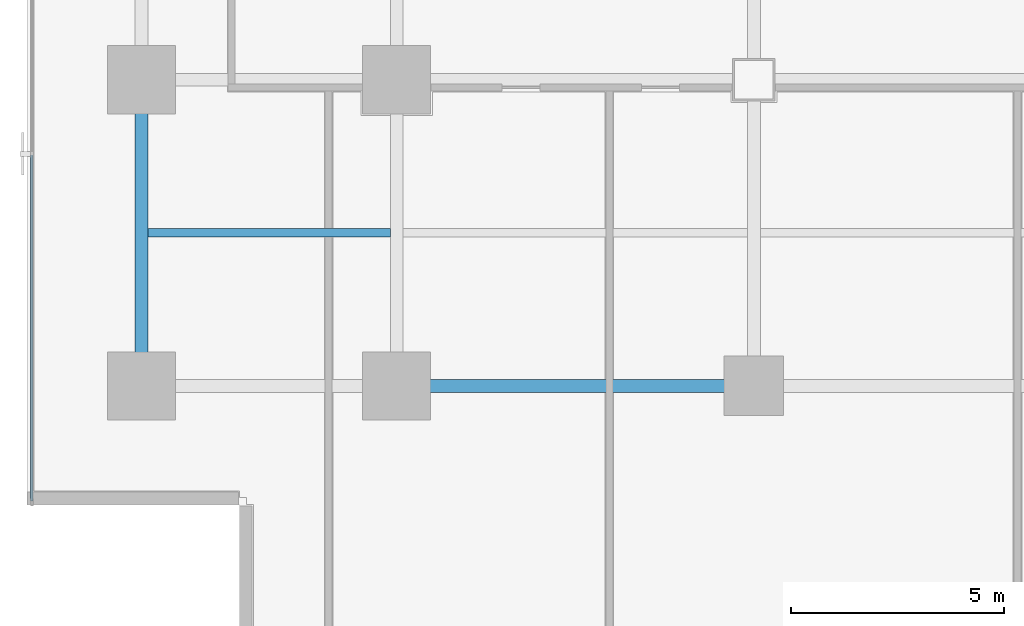
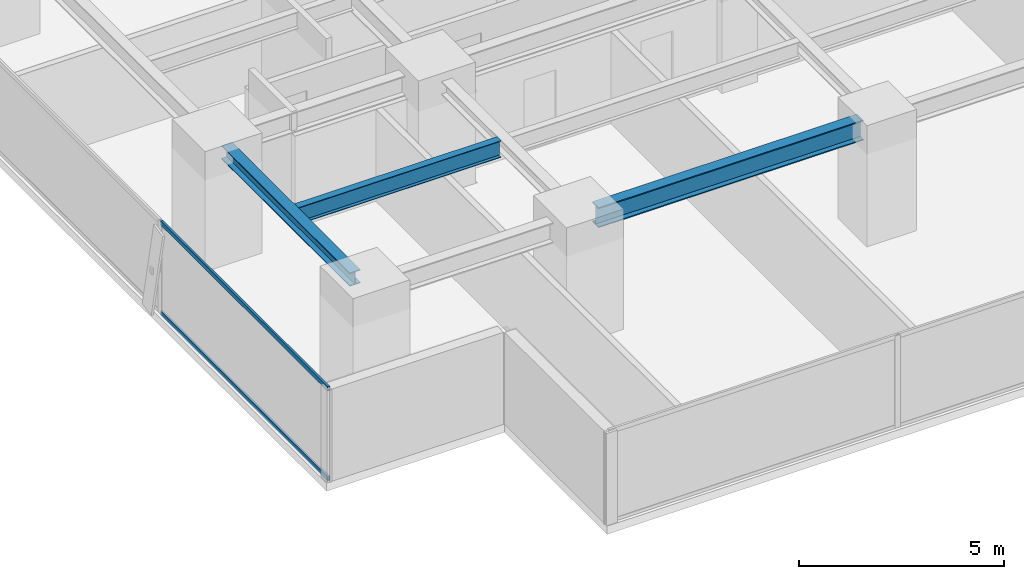
# One storey, part 3 of 37: 3 beams, 2 members, 1 element without a shape of its own.
"""IFC4 building model written with IfcOpenShell, lengths in metres."""

from ifc_helpers import new_model, si_unit, direction, frame, origin, origin_2d, place, context, subcontext, project, spatial, hollow_rectangle, i_section, extrude, source, transform, mapped, material, layer, layer_set, material_profile, profile_set, type_object, element, aggregate, save


model = new_model("IFC4")

# Units and contexts
model_context = context("Model", 3, precision=1e-05, world=origin(), true_north=direction((0.0, 1.0)))
body_context = subcontext(model_context, "Body", "Model", "MODEL_VIEW")
ifc_project = project(units=[si_unit("LENGTHUNIT", "METRE"), si_unit("AREAUNIT", "SQUARE_METRE"), si_unit("VOLUMEUNIT", "CUBIC_METRE"), si_unit("PLANEANGLEUNIT", "RADIAN"), si_unit("MASSUNIT", "GRAM", prefix="KILO")], contexts=[model_context])

# Site, building, storey
site_placement = place(None, origin())
site = spatial("IfcSite", under=ifc_project, at=site_placement, CompositionType="ELEMENT")
building_placement = place(site_placement, origin())
building = spatial("IfcBuilding", under=site, at=building_placement, Name="Sumidabori Civic Tower", CompositionType="ELEMENT")
storey_placement = place(building_placement, frame((0.0, 0.0, 110.0)))
storey = spatial("IfcBuildingStorey", under=building, at=storey_placement, Name="L28", CompositionType="ELEMENT", Elevation=110.0)

# Beams
ifc_material_1 = material(Name="Steel SN490", Category="steel")
ifc_material_profile_1 = material_profile(ifc_material_1, i_section(OverallWidth=0.300048828125, OverallDepth=0.60009765625, WebThickness=0.015380859375, FlangeThickness=0.030029296875, at=origin_2d()), Name="HE 600 B")
ifc_profile_set_1 = profile_set([ifc_material_profile_1], Name="Steel SN490")
beam_type_1 = type_object("IfcBeamType", Name="BM-GIRD-600", PredefinedType="BEAM", material=ifc_profile_set_1)
shared_shape_1 = source(origin(), body_context, "Body", "SweptSolid", [
    extrude(i_section(OverallWidth=0.300048828125, OverallDepth=0.60009765625, WebThickness=0.015380859375, FlangeThickness=0.030029296875, at=origin_2d()), origin(), (0.0, 0.0, 1.0), 7.440185546875),
])
beam_1_placement = place(storey_placement, frame((-16.320068359375, -18.0, 3.06005859375), z_axis=(1.0, 0.0, 0.0), x_axis=(0.0, 1.0, 0.0)))
element("IfcBeam", 1, at=beam_1_placement, inside=storey, type_object=beam_type_1, Name="Primary Girder L28 GX-02", PredefinedType="BEAM", context=body_context, shape_type="MappedRepresentation", body=[
    mapped(shared_shape_1, transform((0.0, 0.0, 0.0), x_axis=(1.0, 0.0, 0.0), y_axis=(0.0, 1.0, 0.0), z_axis=(0.0, 0.0, 1.0), scale=1.0)),
])
ifc_material_profile_2 = material_profile(ifc_material_1, i_section(OverallWidth=0.300048828125, OverallDepth=0.39990234375, WebThickness=0.013427734375, FlangeThickness=0.02392578125, at=origin_2d()), Name="HE 400 B")
ifc_profile_set_2 = profile_set([ifc_material_profile_2], Name="Steel SN490")
beam_type_2 = type_object("IfcBeamType", Name="BM-GIRD-400", PredefinedType="BEAM", material=ifc_profile_set_2)
shared_shape_2 = source(origin(), body_context, "Body", "SweptSolid", [
    extrude(i_section(OverallWidth=0.300048828125, OverallDepth=0.39990234375, WebThickness=0.013427734375, FlangeThickness=0.02392578125, at=origin_2d()), origin(), (0.0, 0.0, 1.0), 6.239990234375),
])
beam_2_placement = place(storey_placement, frame((-22.800048828125, -17.52001953125, 3.159912109375), z_axis=(0.0, 1.0, 0.0), x_axis=(-1.0, 0.0, 0.0)))
element("IfcBeam", 2, at=beam_2_placement, inside=storey, type_object=beam_type_2, Name="Primary Girder L28 GY-21", PredefinedType="BEAM", context=body_context, shape_type="MappedRepresentation", body=[
    mapped(shared_shape_2, transform((0.0, 0.0, 0.0), x_axis=(1.0, 0.0, 0.0), y_axis=(0.0, 1.0, 0.0), z_axis=(0.0, 0.0, 1.0), scale=1.0)),
])
ifc_material_profile_3 = material_profile(ifc_material_1, i_section(OverallWidth=0.199951171875, OverallDepth=0.5, WebThickness=0.01025390625, FlangeThickness=0.01611328125, at=origin_2d()), Name="IPE 500")
ifc_profile_set_3 = profile_set([ifc_material_profile_3], Name="Steel SN490")
beam_type_3 = type_object("IfcBeamType", Name="BM-JST-500", PredefinedType="JOIST", material=ifc_profile_set_3)
shared_shape_3 = source(origin(), body_context, "Body", "SweptSolid", [
    extrude(i_section(OverallWidth=0.199951171875, OverallDepth=0.5, WebThickness=0.01025390625, FlangeThickness=0.01611328125, at=origin_2d()), origin(), (0.0, 0.0, 1.0), 5.699951171875),
])
beam_3_placement = place(storey_placement, frame((-22.64990234375, -14.39990234375, 3.110107421875), z_axis=(1.0, 0.0, 0.0), x_axis=(0.0, 1.0, 0.0)))
element("IfcBeam", 3, at=beam_3_placement, inside=storey, type_object=beam_type_3, Name="Outer Bay Floor Joist L28 JSTO-51", PredefinedType="JOIST", context=body_context, shape_type="MappedRepresentation", body=[
    mapped(shared_shape_3, transform((0.0, 0.0, 0.0), x_axis=(1.0, 0.0, 0.0), y_axis=(0.0, 1.0, 0.0), z_axis=(0.0, 0.0, 1.0), scale=1.0)),
])

# Curtain wall, members
ifc_material_2 = material(Name="Anodised Bronze Aluminium AW-6063-T6", Category="aluminium")
ifc_layer = layer(ifc_material_2, 0.179931640625, Name="Anodised Bronze Aluminium AW-6063-T6")
ifc_layer_set = layer_set([ifc_layer], Name="Anodised Bronze Aluminium AW-6063-T6")
curtain_wall_type = type_object("IfcCurtainWallType", Name="CW-SYS-3", PredefinedType="NOTDEFINED", material=ifc_layer_set)
curtain_wall_placement = place(storey_placement, origin())
curtain_wall = element("IfcCurtainWall", 4, at=curtain_wall_placement, inside=storey, type_object=curtain_wall_type, Name="Curtain Wall CW:L28:R10", PredefinedType="NOTDEFINED")
ifc_material_profile_4 = material_profile(ifc_material_2, hollow_rectangle(XDim=0.06005859375, YDim=0.1298828125, WallThickness=0.0048828125, at=origin_2d()), Name="ALU TRANSOM 130x60")
ifc_profile_set_4 = profile_set([ifc_material_profile_4], Name="Anodised Bronze Aluminium AW-6063-T6")
member_type = type_object("IfcMemberType", Name="CW-TRN-130", PredefinedType="USERDEFINED", material=ifc_profile_set_4)
shared_shape_4 = source(origin(), body_context, "Body", "SweptSolid", [
    extrude(hollow_rectangle(XDim=0.06005859375, YDim=0.1298828125, WallThickness=0.0048828125, at=origin_2d()), origin(), (0.0, 0.0, 1.0), 8.130615234375),
])
member_1_placement = place(storey_placement, frame((-25.3798828125, -12.574462890625, 0.030029296875), z_axis=(0.0, -1.0, 0.0), x_axis=(1.0, 0.0, 0.0)))
member_1 = element("IfcMember", 5, at=member_1_placement, type_object=member_type, Name="CW-3 transom 5.1", ObjectType="TRANSOM", PredefinedType="USERDEFINED", context=body_context, shape_type="MappedRepresentation", body=[
    mapped(shared_shape_4, transform((0.0, 0.0, 0.0), x_axis=(1.0, 0.0, 0.0), y_axis=(0.0, 1.0, 0.0), z_axis=(0.0, 0.0, 1.0), scale=1.0)),
])
member_2_placement = place(storey_placement, frame((-25.3798828125, -12.574462890625, 2.7099609375), z_axis=(0.0, -1.0, 0.0), x_axis=(1.0, 0.0, 0.0)))
member_2 = element("IfcMember", 6, at=member_2_placement, type_object=member_type, Name="CW-3 transom 5.2", ObjectType="TRANSOM", PredefinedType="USERDEFINED", context=body_context, shape_type="MappedRepresentation", body=[
    mapped(shared_shape_4, transform((0.0, 0.0, 0.0), x_axis=(1.0, 0.0, 0.0), y_axis=(0.0, 1.0, 0.0), z_axis=(0.0, 0.0, 1.0), scale=1.0)),
])
aggregate(curtain_wall, [member_1, member_2])

save(model, "model.ifc")
